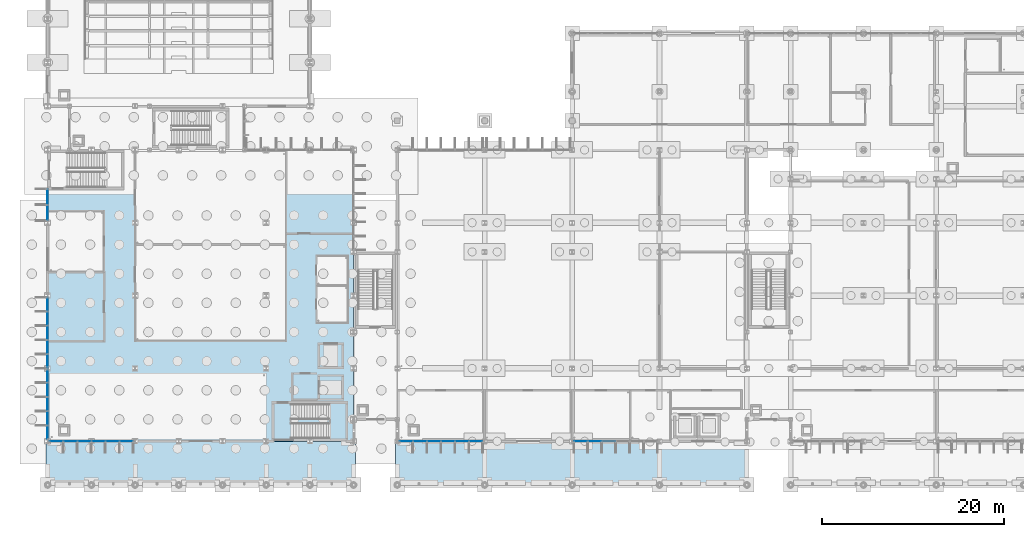
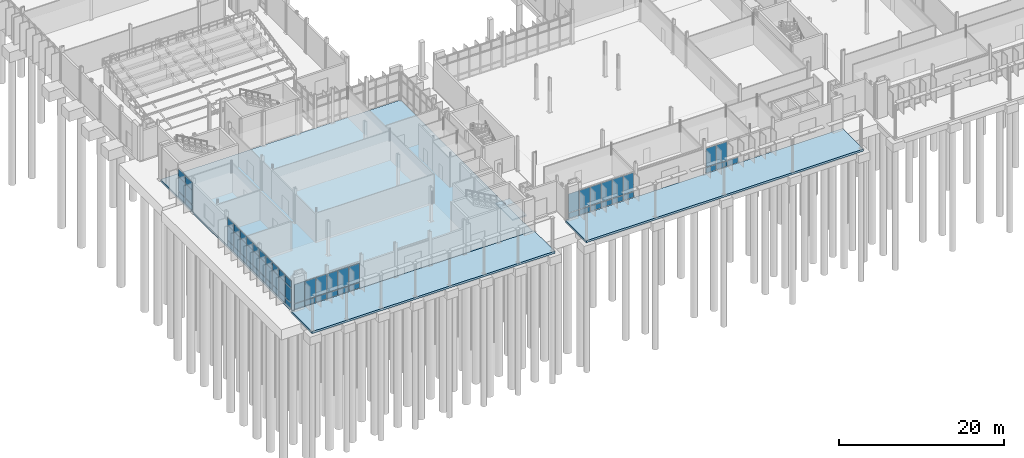
# One storey, part 41 of 111: 65 plates, 4 slabs, 6 elements without a shape of their own.
"""IFC4 building model written with IfcOpenShell, lengths in metres."""

from ifc_helpers import new_model, si_unit, direction, frame, origin, origin_2d, place, context, subcontext, project, spatial, polyline, rectangle, outline, extrude, material, layer, layer_set, type_object, element, aggregate, save


model = new_model("IFC4")

# Units and contexts
model_context = context("Model", 3, precision=1e-05, world=origin(), true_north=direction((0.0, 1.0)))
body_context = subcontext(model_context, "Body", "Model", "MODEL_VIEW")
ifc_project = project(units=[si_unit("LENGTHUNIT", "METRE"), si_unit("AREAUNIT", "SQUARE_METRE"), si_unit("VOLUMEUNIT", "CUBIC_METRE"), si_unit("PLANEANGLEUNIT", "RADIAN"), si_unit("MASSUNIT", "GRAM", prefix="KILO")], contexts=[model_context])

# Site, building, storey
site_placement = place(None, origin())
site = spatial("IfcSite", under=ifc_project, at=site_placement, CompositionType="ELEMENT")
building_placement = place(site_placement, origin())
building = spatial("IfcBuilding", under=site, at=building_placement, Name="Dunescarp Central Library", CompositionType="ELEMENT")
storey_placement = place(building_placement, origin())
storey = spatial("IfcBuildingStorey", under=building, at=storey_placement, Name="L00", CompositionType="ELEMENT", Elevation=0.0)

# Curtain wall, plates
ifc_material_1 = material(Name="Marine-grade anodised aluminium 6063-T6", Category="aluminium")
curtain_wall_type = type_object("IfcCurtainWallType", Name="ARC-CW-STICK", PredefinedType="NOTDEFINED", material=ifc_material_1)
curtain_wall_1_placement = place(storey_placement, origin())
curtain_wall_1 = element("IfcCurtainWall", 1, at=curtain_wall_1_placement, inside=storey, type_object=curtain_wall_type, Name="L00 curtain wall CW-V1-001", PredefinedType="NOTDEFINED")
ifc_material_2 = material(Name="Solar-control laminated double glazing", Category="glass")
ifc_layer_1 = layer(ifc_material_2, 0.028076171875)
ifc_layer_set_1 = layer_set([ifc_layer_1], Name="Solar-control laminated double glazing")
plate_type_1 = type_object("IfcPlateType", Name="ARC-PLT-GLZ28", PredefinedType="CURTAIN_PANEL", material=ifc_layer_set_1)
plate_1_placement = place(storey_placement, frame((8.63427734375, 4.800048828125, 0.93994140625), z_axis=(0.0, 0.0, 1.0), x_axis=(-1.0, 0.0, 0.0)))
plate_1 = element("IfcPlate", 2, at=plate_1_placement, type_object=plate_type_1, Name="CW-V1-001 panel 1.2", PredefinedType="CURTAIN_PANEL", context=body_context, shape_type="SweptSolid", body=[
    extrude(rectangle(XDim=1.421630859375, YDim=0.028076171875, at=origin_2d()), origin(), (0.0, 0.0, 1.0), 2.784912109375),
])
plate_2_placement = place(storey_placement, frame((7.112548828125, 4.800048828125, 0.93994140625), z_axis=(0.0, 0.0, 1.0), x_axis=(-1.0, 0.0, 0.0)))
plate_2 = element("IfcPlate", 3, at=plate_2_placement, type_object=plate_type_1, Name="CW-V1-001 panel 2.2", PredefinedType="CURTAIN_PANEL", context=body_context, shape_type="SweptSolid", body=[
    extrude(rectangle(XDim=1.461669921875, YDim=0.028076171875, at=origin_2d()), origin(), (0.0, 0.0, 1.0), 2.784912109375),
])
plate_3_placement = place(storey_placement, frame((5.57080078125, 4.800048828125, 0.93994140625), z_axis=(0.0, 0.0, 1.0), x_axis=(-1.0, 0.0, 0.0)))
plate_3 = element("IfcPlate", 4, at=plate_3_placement, type_object=plate_type_1, Name="CW-V1-001 panel 3.2", PredefinedType="CURTAIN_PANEL", context=body_context, shape_type="SweptSolid", body=[
    extrude(rectangle(XDim=1.461669921875, YDim=0.028076171875, at=origin_2d()), origin(), (0.0, 0.0, 1.0), 2.784912109375),
])
plate_4_placement = place(storey_placement, frame((4.029052734375, 4.800048828125, 0.93994140625), z_axis=(0.0, 0.0, 1.0), x_axis=(-1.0, 0.0, 0.0)))
plate_4 = element("IfcPlate", 5, at=plate_4_placement, type_object=plate_type_1, Name="CW-V1-001 panel 4.2", PredefinedType="CURTAIN_PANEL", context=body_context, shape_type="SweptSolid", body=[
    extrude(rectangle(XDim=1.461669921875, YDim=0.028076171875, at=origin_2d()), origin(), (0.0, 0.0, 1.0), 2.784912109375),
])
plate_5_placement = place(storey_placement, frame((2.487548828125, 4.800048828125, 0.93994140625), z_axis=(0.0, 0.0, 1.0), x_axis=(-1.0, 0.0, 0.0)))
plate_5 = element("IfcPlate", 6, at=plate_5_placement, type_object=plate_type_1, Name="CW-V1-001 panel 5.2", PredefinedType="CURTAIN_PANEL", context=body_context, shape_type="SweptSolid", body=[
    extrude(rectangle(XDim=1.461669921875, YDim=0.028076171875, at=origin_2d()), origin(), (0.0, 0.0, 1.0), 2.784912109375),
])
plate_6_placement = place(storey_placement, frame((0.9658203125, 4.800048828125, 0.93994140625), z_axis=(0.0, 0.0, 1.0), x_axis=(-1.0, 0.0, 0.0)))
plate_6 = element("IfcPlate", 7, at=plate_6_placement, type_object=plate_type_1, Name="CW-V1-001 panel 6.2", PredefinedType="CURTAIN_PANEL", context=body_context, shape_type="SweptSolid", body=[
    extrude(rectangle(XDim=1.421630859375, YDim=0.028076171875, at=origin_2d()), origin(), (0.0, 0.0, 1.0), 2.784912109375),
])

curtain_wall_2_placement = place(storey_placement, origin())
curtain_wall_2 = element("IfcCurtainWall", 8, at=curtain_wall_2_placement, inside=storey, type_object=curtain_wall_type, Name="L00 curtain wall CW-V1-003", PredefinedType="NOTDEFINED")
plate_7_placement = place(storey_placement, frame((0.0, 5.777587890625, 0.93994140625), z_axis=(0.0, 0.0, 1.0), x_axis=(0.0, 1.0, 0.0)))
plate_7 = element("IfcPlate", 9, at=plate_7_placement, type_object=plate_type_1, Name="CW-V1-003 panel 1.2", PredefinedType="CURTAIN_PANEL", context=body_context, shape_type="SweptSolid", body=[
    extrude(rectangle(XDim=1.445068359375, YDim=0.028076171875, at=origin_2d()), origin(), (0.0, 0.0, 1.0), 2.1201171875),
])
plate_8_placement = place(storey_placement, frame((0.0, 5.777587890625, 3.14013671875), z_axis=(0.0, 0.0, 1.0), x_axis=(0.0, 1.0, 0.0)))
plate_8 = element("IfcPlate", 10, at=plate_8_placement, type_object=plate_type_1, Name="CW-V1-003 panel 1.3", PredefinedType="CURTAIN_PANEL", context=body_context, shape_type="SweptSolid", body=[
    extrude(rectangle(XDim=1.445068359375, YDim=0.028076171875, at=origin_2d()), origin(), (0.0, 0.0, 1.0), 1.0849609375),
])
plate_9_placement = place(storey_placement, frame((0.0, 7.322509765625, 0.93994140625), z_axis=(0.0, 0.0, 1.0), x_axis=(0.0, 1.0, 0.0)))
plate_9 = element("IfcPlate", 11, at=plate_9_placement, type_object=plate_type_1, Name="CW-V1-003 panel 2.2", PredefinedType="CURTAIN_PANEL", context=body_context, shape_type="SweptSolid", body=[
    extrude(rectangle(XDim=1.485107421875, YDim=0.028076171875, at=origin_2d()), origin(), (0.0, 0.0, 1.0), 2.1201171875),
])
plate_10_placement = place(storey_placement, frame((0.0, 7.322509765625, 3.14013671875), z_axis=(0.0, 0.0, 1.0), x_axis=(0.0, 1.0, 0.0)))
plate_10 = element("IfcPlate", 12, at=plate_10_placement, type_object=plate_type_1, Name="CW-V1-003 panel 2.3", PredefinedType="CURTAIN_PANEL", context=body_context, shape_type="SweptSolid", body=[
    extrude(rectangle(XDim=1.485107421875, YDim=0.028076171875, at=origin_2d()), origin(), (0.0, 0.0, 1.0), 1.0849609375),
])
plate_11_placement = place(storey_placement, frame((0.0, 8.887451171875, 0.93994140625), z_axis=(0.0, 0.0, 1.0), x_axis=(0.0, 1.0, 0.0)))
plate_11 = element("IfcPlate", 13, at=plate_11_placement, type_object=plate_type_1, Name="CW-V1-003 panel 3.2", PredefinedType="CURTAIN_PANEL", context=body_context, shape_type="SweptSolid", body=[
    extrude(rectangle(XDim=1.485107421875, YDim=0.028076171875, at=origin_2d()), origin(), (0.0, 0.0, 1.0), 2.1201171875),
])
plate_12_placement = place(storey_placement, frame((0.0, 8.887451171875, 3.14013671875), z_axis=(0.0, 0.0, 1.0), x_axis=(0.0, 1.0, 0.0)))
plate_12 = element("IfcPlate", 14, at=plate_12_placement, type_object=plate_type_1, Name="CW-V1-003 panel 3.3", PredefinedType="CURTAIN_PANEL", context=body_context, shape_type="SweptSolid", body=[
    extrude(rectangle(XDim=1.485107421875, YDim=0.028076171875, at=origin_2d()), origin(), (0.0, 0.0, 1.0), 1.0849609375),
])
plate_13_placement = place(storey_placement, frame((0.0, 10.452392578125, 0.93994140625), z_axis=(0.0, 0.0, 1.0), x_axis=(0.0, 1.0, 0.0)))
plate_13 = element("IfcPlate", 15, at=plate_13_placement, type_object=plate_type_1, Name="CW-V1-003 panel 4.2", PredefinedType="CURTAIN_PANEL", context=body_context, shape_type="SweptSolid", body=[
    extrude(rectangle(XDim=1.485107421875, YDim=0.028076171875, at=origin_2d()), origin(), (0.0, 0.0, 1.0), 2.1201171875),
])
plate_14_placement = place(storey_placement, frame((0.0, 10.452392578125, 3.14013671875), z_axis=(0.0, 0.0, 1.0), x_axis=(0.0, 1.0, 0.0)))
plate_14 = element("IfcPlate", 16, at=plate_14_placement, type_object=plate_type_1, Name="CW-V1-003 panel 4.3", PredefinedType="CURTAIN_PANEL", context=body_context, shape_type="SweptSolid", body=[
    extrude(rectangle(XDim=1.485107421875, YDim=0.028076171875, at=origin_2d()), origin(), (0.0, 0.0, 1.0), 1.0849609375),
])
plate_15_placement = place(storey_placement, frame((0.0, 12.017578125, 0.93994140625), z_axis=(0.0, 0.0, 1.0), x_axis=(0.0, 1.0, 0.0)))
plate_15 = element("IfcPlate", 17, at=plate_15_placement, type_object=plate_type_1, Name="CW-V1-003 panel 5.2", PredefinedType="CURTAIN_PANEL", context=body_context, shape_type="SweptSolid", body=[
    extrude(rectangle(XDim=1.485107421875, YDim=0.028076171875, at=origin_2d()), origin(), (0.0, 0.0, 1.0), 2.1201171875),
])
plate_16_placement = place(storey_placement, frame((0.0, 12.017578125, 3.14013671875), z_axis=(0.0, 0.0, 1.0), x_axis=(0.0, 1.0, 0.0)))
plate_16 = element("IfcPlate", 18, at=plate_16_placement, type_object=plate_type_1, Name="CW-V1-003 panel 5.3", PredefinedType="CURTAIN_PANEL", context=body_context, shape_type="SweptSolid", body=[
    extrude(rectangle(XDim=1.485107421875, YDim=0.028076171875, at=origin_2d()), origin(), (0.0, 0.0, 1.0), 1.0849609375),
])
plate_17_placement = place(storey_placement, frame((0.0, 13.58251953125, 0.93994140625), z_axis=(0.0, 0.0, 1.0), x_axis=(0.0, 1.0, 0.0)))
plate_17 = element("IfcPlate", 19, at=plate_17_placement, type_object=plate_type_1, Name="CW-V1-003 panel 6.2", PredefinedType="CURTAIN_PANEL", context=body_context, shape_type="SweptSolid", body=[
    extrude(rectangle(XDim=1.485107421875, YDim=0.028076171875, at=origin_2d()), origin(), (0.0, 0.0, 1.0), 2.1201171875),
])
plate_18_placement = place(storey_placement, frame((0.0, 13.58251953125, 3.14013671875), z_axis=(0.0, 0.0, 1.0), x_axis=(0.0, 1.0, 0.0)))
plate_18 = element("IfcPlate", 20, at=plate_18_placement, type_object=plate_type_1, Name="CW-V1-003 panel 6.3", PredefinedType="CURTAIN_PANEL", context=body_context, shape_type="SweptSolid", body=[
    extrude(rectangle(XDim=1.485107421875, YDim=0.028076171875, at=origin_2d()), origin(), (0.0, 0.0, 1.0), 1.0849609375),
])
plate_19_placement = place(storey_placement, frame((0.0, 15.1474609375, 0.93994140625), z_axis=(0.0, 0.0, 1.0), x_axis=(0.0, 1.0, 0.0)))
plate_19 = element("IfcPlate", 21, at=plate_19_placement, type_object=plate_type_1, Name="CW-V1-003 panel 7.2", PredefinedType="CURTAIN_PANEL", context=body_context, shape_type="SweptSolid", body=[
    extrude(rectangle(XDim=1.485107421875, YDim=0.028076171875, at=origin_2d()), origin(), (0.0, 0.0, 1.0), 2.1201171875),
])
plate_20_placement = place(storey_placement, frame((0.0, 15.1474609375, 3.14013671875), z_axis=(0.0, 0.0, 1.0), x_axis=(0.0, 1.0, 0.0)))
plate_20 = element("IfcPlate", 22, at=plate_20_placement, type_object=plate_type_1, Name="CW-V1-003 panel 7.3", PredefinedType="CURTAIN_PANEL", context=body_context, shape_type="SweptSolid", body=[
    extrude(rectangle(XDim=1.485107421875, YDim=0.028076171875, at=origin_2d()), origin(), (0.0, 0.0, 1.0), 1.0849609375),
])
plate_21_placement = place(storey_placement, frame((0.0, 16.71240234375, 0.93994140625), z_axis=(0.0, 0.0, 1.0), x_axis=(0.0, 1.0, 0.0)))
plate_21 = element("IfcPlate", 23, at=plate_21_placement, type_object=plate_type_1, Name="CW-V1-003 panel 8.2", PredefinedType="CURTAIN_PANEL", context=body_context, shape_type="SweptSolid", body=[
    extrude(rectangle(XDim=1.485107421875, YDim=0.028076171875, at=origin_2d()), origin(), (0.0, 0.0, 1.0), 2.1201171875),
])
plate_22_placement = place(storey_placement, frame((0.0, 16.71240234375, 3.14013671875), z_axis=(0.0, 0.0, 1.0), x_axis=(0.0, 1.0, 0.0)))
plate_22 = element("IfcPlate", 24, at=plate_22_placement, type_object=plate_type_1, Name="CW-V1-003 panel 8.3", PredefinedType="CURTAIN_PANEL", context=body_context, shape_type="SweptSolid", body=[
    extrude(rectangle(XDim=1.485107421875, YDim=0.028076171875, at=origin_2d()), origin(), (0.0, 0.0, 1.0), 1.0849609375),
])
plate_23_placement = place(storey_placement, frame((0.0, 18.277587890625, 0.93994140625), z_axis=(0.0, 0.0, 1.0), x_axis=(0.0, 1.0, 0.0)))
plate_23 = element("IfcPlate", 25, at=plate_23_placement, type_object=plate_type_1, Name="CW-V1-003 panel 9.2", PredefinedType="CURTAIN_PANEL", context=body_context, shape_type="SweptSolid", body=[
    extrude(rectangle(XDim=1.485107421875, YDim=0.028076171875, at=origin_2d()), origin(), (0.0, 0.0, 1.0), 2.1201171875),
])
plate_24_placement = place(storey_placement, frame((0.0, 18.277587890625, 3.14013671875), z_axis=(0.0, 0.0, 1.0), x_axis=(0.0, 1.0, 0.0)))
plate_24 = element("IfcPlate", 26, at=plate_24_placement, type_object=plate_type_1, Name="CW-V1-003 panel 9.3", PredefinedType="CURTAIN_PANEL", context=body_context, shape_type="SweptSolid", body=[
    extrude(rectangle(XDim=1.485107421875, YDim=0.028076171875, at=origin_2d()), origin(), (0.0, 0.0, 1.0), 1.0849609375),
])
plate_25_placement = place(storey_placement, frame((0.0, 19.822509765625, 0.93994140625), z_axis=(0.0, 0.0, 1.0), x_axis=(0.0, 1.0, 0.0)))
plate_25 = element("IfcPlate", 27, at=plate_25_placement, type_object=plate_type_1, Name="CW-V1-003 panel 10.2", PredefinedType="CURTAIN_PANEL", context=body_context, shape_type="SweptSolid", body=[
    extrude(rectangle(XDim=1.445068359375, YDim=0.028076171875, at=origin_2d()), origin(), (0.0, 0.0, 1.0), 2.1201171875),
])
plate_26_placement = place(storey_placement, frame((0.0, 19.822509765625, 3.14013671875), z_axis=(0.0, 0.0, 1.0), x_axis=(0.0, 1.0, 0.0)))
plate_26 = element("IfcPlate", 28, at=plate_26_placement, type_object=plate_type_1, Name="CW-V1-003 panel 10.3", PredefinedType="CURTAIN_PANEL", context=body_context, shape_type="SweptSolid", body=[
    extrude(rectangle(XDim=1.445068359375, YDim=0.028076171875, at=origin_2d()), origin(), (0.0, 0.0, 1.0), 1.0849609375),
])

curtain_wall_3_placement = place(storey_placement, origin())
curtain_wall_3 = element("IfcCurtainWall", 29, at=curtain_wall_3_placement, inside=storey, type_object=curtain_wall_type, Name="L00 curtain wall CW-V1-004", PredefinedType="NOTDEFINED")
plate_27_placement = place(storey_placement, frame((0.0, 29.888671875, 0.93994140625), z_axis=(0.0, 0.0, 1.0), x_axis=(0.0, 1.0, 0.0)))
plate_27 = element("IfcPlate", 30, at=plate_27_placement, type_object=plate_type_1, Name="CW-V1-004 panel 1.2", PredefinedType="CURTAIN_PANEL", context=body_context, shape_type="SweptSolid", body=[
    extrude(rectangle(XDim=1.66748046875, YDim=0.028076171875, at=origin_2d()), origin(), (0.0, 0.0, 1.0), 2.1201171875),
])
plate_28_placement = place(storey_placement, frame((0.0, 29.888671875, 3.14013671875), z_axis=(0.0, 0.0, 1.0), x_axis=(0.0, 1.0, 0.0)))
plate_28 = element("IfcPlate", 31, at=plate_28_placement, type_object=plate_type_1, Name="CW-V1-004 panel 1.3", PredefinedType="CURTAIN_PANEL", context=body_context, shape_type="SweptSolid", body=[
    extrude(rectangle(XDim=1.66748046875, YDim=0.028076171875, at=origin_2d()), origin(), (0.0, 0.0, 1.0), 1.0849609375),
])
plate_29_placement = place(storey_placement, frame((0.0, 31.63623046875, 0.93994140625), z_axis=(0.0, 0.0, 1.0), x_axis=(0.0, 1.0, 0.0)))
plate_29 = element("IfcPlate", 32, at=plate_29_placement, type_object=plate_type_1, Name="CW-V1-004 panel 2.2", PredefinedType="CURTAIN_PANEL", context=body_context, shape_type="SweptSolid", body=[
    extrude(rectangle(XDim=1.66748046875, YDim=0.028076171875, at=origin_2d()), origin(), (0.0, 0.0, 1.0), 2.1201171875),
])
plate_30_placement = place(storey_placement, frame((0.0, 31.63623046875, 3.14013671875), z_axis=(0.0, 0.0, 1.0), x_axis=(0.0, 1.0, 0.0)))
plate_30 = element("IfcPlate", 33, at=plate_30_placement, type_object=plate_type_1, Name="CW-V1-004 panel 2.3", PredefinedType="CURTAIN_PANEL", context=body_context, shape_type="SweptSolid", body=[
    extrude(rectangle(XDim=1.66748046875, YDim=0.028076171875, at=origin_2d()), origin(), (0.0, 0.0, 1.0), 1.0849609375),
])

curtain_wall_4_placement = place(storey_placement, origin())
curtain_wall_4 = element("IfcCurtainWall", 34, at=curtain_wall_4_placement, inside=storey, type_object=curtain_wall_type, Name="L00 curtain wall CW-V2-044", PredefinedType="NOTDEFINED")
plate_31_placement = place(storey_placement, frame((47.0341796875, 4.800048828125, 0.93994140625), z_axis=(0.0, 0.0, 1.0), x_axis=(-1.0, 0.0, 0.0)))
plate_31 = element("IfcPlate", 35, at=plate_31_placement, type_object=plate_type_1, Name="CW-V2-044 panel 1.2", PredefinedType="CURTAIN_PANEL", context=body_context, shape_type="SweptSolid", body=[
    extrude(rectangle(XDim=1.421630859375, YDim=0.028076171875, at=origin_2d()), origin(), (0.0, 0.0, 1.0), 2.784912109375),
])
plate_32_placement = place(storey_placement, frame((45.512451171875, 4.800048828125, 0.93994140625), z_axis=(0.0, 0.0, 1.0), x_axis=(-1.0, 0.0, 0.0)))
plate_32 = element("IfcPlate", 36, at=plate_32_placement, type_object=plate_type_1, Name="CW-V2-044 panel 2.2", PredefinedType="CURTAIN_PANEL", context=body_context, shape_type="SweptSolid", body=[
    extrude(rectangle(XDim=1.461669921875, YDim=0.028076171875, at=origin_2d()), origin(), (0.0, 0.0, 1.0), 2.784912109375),
])
plate_33_placement = place(storey_placement, frame((43.970947265625, 4.800048828125, 0.93994140625), z_axis=(0.0, 0.0, 1.0), x_axis=(-1.0, 0.0, 0.0)))
plate_33 = element("IfcPlate", 37, at=plate_33_placement, type_object=plate_type_1, Name="CW-V2-044 panel 3.2", PredefinedType="CURTAIN_PANEL", context=body_context, shape_type="SweptSolid", body=[
    extrude(rectangle(XDim=1.461669921875, YDim=0.028076171875, at=origin_2d()), origin(), (0.0, 0.0, 1.0), 2.784912109375),
])
plate_34_placement = place(storey_placement, frame((42.42919921875, 4.800048828125, 0.93994140625), z_axis=(0.0, 0.0, 1.0), x_axis=(-1.0, 0.0, 0.0)))
plate_34 = element("IfcPlate", 38, at=plate_34_placement, type_object=plate_type_1, Name="CW-V2-044 panel 4.2", PredefinedType="CURTAIN_PANEL", context=body_context, shape_type="SweptSolid", body=[
    extrude(rectangle(XDim=1.461669921875, YDim=0.028076171875, at=origin_2d()), origin(), (0.0, 0.0, 1.0), 2.784912109375),
])
plate_35_placement = place(storey_placement, frame((40.887451171875, 4.800048828125, 0.93994140625), z_axis=(0.0, 0.0, 1.0), x_axis=(-1.0, 0.0, 0.0)))
plate_35 = element("IfcPlate", 39, at=plate_35_placement, type_object=plate_type_1, Name="CW-V2-044 panel 5.2", PredefinedType="CURTAIN_PANEL", context=body_context, shape_type="SweptSolid", body=[
    extrude(rectangle(XDim=1.461669921875, YDim=0.028076171875, at=origin_2d()), origin(), (0.0, 0.0, 1.0), 2.784912109375),
])
plate_36_placement = place(storey_placement, frame((39.36572265625, 4.800048828125, 0.93994140625), z_axis=(0.0, 0.0, 1.0), x_axis=(-1.0, 0.0, 0.0)))
plate_36 = element("IfcPlate", 40, at=plate_36_placement, type_object=plate_type_1, Name="CW-V2-044 panel 6.2", PredefinedType="CURTAIN_PANEL", context=body_context, shape_type="SweptSolid", body=[
    extrude(rectangle(XDim=1.421630859375, YDim=0.028076171875, at=origin_2d()), origin(), (0.0, 0.0, 1.0), 2.784912109375),
])

curtain_wall_5_placement = place(storey_placement, origin())
curtain_wall_5 = element("IfcCurtainWall", 41, at=curtain_wall_5_placement, inside=storey, type_object=curtain_wall_type, Name="L00 curtain wall CW-V2-045", PredefinedType="NOTDEFINED")
plate_37_placement = place(storey_placement, frame((60.08740234375, 4.800048828125, 0.93994140625), z_axis=(0.0, 0.0, 1.0), x_axis=(-1.0, 0.0, 0.0)))
plate_37 = element("IfcPlate", 42, at=plate_37_placement, type_object=plate_type_1, Name="CW-V2-045 panel 5.2", PredefinedType="CURTAIN_PANEL", context=body_context, shape_type="SweptSolid", body=[
    extrude(rectangle(XDim=1.461669921875, YDim=0.028076171875, at=origin_2d()), origin(), (0.0, 0.0, 1.0), 2.784912109375),
])
plate_38_placement = place(storey_placement, frame((58.56591796875, 4.800048828125, 0.93994140625), z_axis=(0.0, 0.0, 1.0), x_axis=(-1.0, 0.0, 0.0)))
plate_38 = element("IfcPlate", 43, at=plate_38_placement, type_object=plate_type_1, Name="CW-V2-045 panel 6.2", PredefinedType="CURTAIN_PANEL", context=body_context, shape_type="SweptSolid", body=[
    extrude(rectangle(XDim=1.421630859375, YDim=0.028076171875, at=origin_2d()), origin(), (0.0, 0.0, 1.0), 2.784912109375),
])

# Plate
ifc_layer_2 = layer(ifc_material_1, 0.050048828125)
ifc_layer_set_2 = layer_set([ifc_layer_2], Name="Marine-grade anodised aluminium 6063-T6")
plate_type_2 = type_object("IfcPlateType", Name="ARC-PLT-SPN50", PredefinedType="SHEET", material=ifc_layer_set_2)
plate_39_placement = place(storey_placement, frame((8.63427734375, 4.800048828125, 0.080078125), z_axis=(0.0, 0.0, 1.0), x_axis=(-1.0, 0.0, 0.0)))
plate_39 = element("IfcPlate", 44, at=plate_39_placement, type_object=plate_type_2, Name="CW-V1-001 panel 1.1", PredefinedType="SHEET", context=body_context, shape_type="SweptSolid", body=[
    extrude(rectangle(XDim=1.421630859375, YDim=0.050048828125, at=origin_2d()), origin(), (0.0, 0.0, 1.0), 0.780029296875),
])

plate_40_placement = place(storey_placement, frame((7.112548828125, 4.800048828125, 0.080078125), z_axis=(0.0, 0.0, 1.0), x_axis=(-1.0, 0.0, 0.0)))
plate_40 = element("IfcPlate", 45, at=plate_40_placement, type_object=plate_type_2, Name="CW-V1-001 panel 2.1", PredefinedType="SHEET", context=body_context, shape_type="SweptSolid", body=[
    extrude(rectangle(XDim=1.461669921875, YDim=0.050048828125, at=origin_2d()), origin(), (0.0, 0.0, 1.0), 0.780029296875),
])

plate_41_placement = place(storey_placement, frame((5.57080078125, 4.800048828125, 0.080078125), z_axis=(0.0, 0.0, 1.0), x_axis=(-1.0, 0.0, 0.0)))
plate_41 = element("IfcPlate", 46, at=plate_41_placement, type_object=plate_type_2, Name="CW-V1-001 panel 3.1", PredefinedType="SHEET", context=body_context, shape_type="SweptSolid", body=[
    extrude(rectangle(XDim=1.461669921875, YDim=0.050048828125, at=origin_2d()), origin(), (0.0, 0.0, 1.0), 0.780029296875),
])

plate_42_placement = place(storey_placement, frame((4.029052734375, 4.800048828125, 0.080078125), z_axis=(0.0, 0.0, 1.0), x_axis=(-1.0, 0.0, 0.0)))
plate_42 = element("IfcPlate", 47, at=plate_42_placement, type_object=plate_type_2, Name="CW-V1-001 panel 4.1", PredefinedType="SHEET", context=body_context, shape_type="SweptSolid", body=[
    extrude(rectangle(XDim=1.461669921875, YDim=0.050048828125, at=origin_2d()), origin(), (0.0, 0.0, 1.0), 0.780029296875),
])

plate_43_placement = place(storey_placement, frame((2.487548828125, 4.800048828125, 0.080078125), z_axis=(0.0, 0.0, 1.0), x_axis=(-1.0, 0.0, 0.0)))
plate_43 = element("IfcPlate", 48, at=plate_43_placement, type_object=plate_type_2, Name="CW-V1-001 panel 5.1", PredefinedType="SHEET", context=body_context, shape_type="SweptSolid", body=[
    extrude(rectangle(XDim=1.461669921875, YDim=0.050048828125, at=origin_2d()), origin(), (0.0, 0.0, 1.0), 0.780029296875),
])

plate_44_placement = place(storey_placement, frame((0.9658203125, 4.800048828125, 0.080078125), z_axis=(0.0, 0.0, 1.0), x_axis=(-1.0, 0.0, 0.0)))
plate_44 = element("IfcPlate", 49, at=plate_44_placement, type_object=plate_type_2, Name="CW-V1-001 panel 6.1", PredefinedType="SHEET", context=body_context, shape_type="SweptSolid", body=[
    extrude(rectangle(XDim=1.421630859375, YDim=0.050048828125, at=origin_2d()), origin(), (0.0, 0.0, 1.0), 0.780029296875),
])

aggregate(curtain_wall_1, [plate_39, plate_1, plate_40, plate_2, plate_41, plate_3, plate_42, plate_4, plate_43, plate_5, plate_44, plate_6])

plate_45_placement = place(storey_placement, frame((0.0, 5.777587890625, 0.080078125), z_axis=(0.0, 0.0, 1.0), x_axis=(0.0, 1.0, 0.0)))
plate_45 = element("IfcPlate", 50, at=plate_45_placement, type_object=plate_type_2, Name="CW-V1-003 panel 1.1", PredefinedType="SHEET", context=body_context, shape_type="SweptSolid", body=[
    extrude(rectangle(XDim=1.445068359375, YDim=0.050048828125, at=origin_2d()), origin(), (0.0, 0.0, 1.0), 0.780029296875),
])

plate_46_placement = place(storey_placement, frame((0.0, 7.322509765625, 0.080078125), z_axis=(0.0, 0.0, 1.0), x_axis=(0.0, 1.0, 0.0)))
plate_46 = element("IfcPlate", 51, at=plate_46_placement, type_object=plate_type_2, Name="CW-V1-003 panel 2.1", PredefinedType="SHEET", context=body_context, shape_type="SweptSolid", body=[
    extrude(rectangle(XDim=1.485107421875, YDim=0.050048828125, at=origin_2d()), origin(), (0.0, 0.0, 1.0), 0.780029296875),
])

plate_47_placement = place(storey_placement, frame((0.0, 8.887451171875, 0.080078125), z_axis=(0.0, 0.0, 1.0), x_axis=(0.0, 1.0, 0.0)))
plate_47 = element("IfcPlate", 52, at=plate_47_placement, type_object=plate_type_2, Name="CW-V1-003 panel 3.1", PredefinedType="SHEET", context=body_context, shape_type="SweptSolid", body=[
    extrude(rectangle(XDim=1.485107421875, YDim=0.050048828125, at=origin_2d()), origin(), (0.0, 0.0, 1.0), 0.780029296875),
])

plate_48_placement = place(storey_placement, frame((0.0, 10.452392578125, 0.080078125), z_axis=(0.0, 0.0, 1.0), x_axis=(0.0, 1.0, 0.0)))
plate_48 = element("IfcPlate", 53, at=plate_48_placement, type_object=plate_type_2, Name="CW-V1-003 panel 4.1", PredefinedType="SHEET", context=body_context, shape_type="SweptSolid", body=[
    extrude(rectangle(XDim=1.485107421875, YDim=0.050048828125, at=origin_2d()), origin(), (0.0, 0.0, 1.0), 0.780029296875),
])

plate_49_placement = place(storey_placement, frame((0.0, 12.017578125, 0.080078125), z_axis=(0.0, 0.0, 1.0), x_axis=(0.0, 1.0, 0.0)))
plate_49 = element("IfcPlate", 54, at=plate_49_placement, type_object=plate_type_2, Name="CW-V1-003 panel 5.1", PredefinedType="SHEET", context=body_context, shape_type="SweptSolid", body=[
    extrude(rectangle(XDim=1.485107421875, YDim=0.050048828125, at=origin_2d()), origin(), (0.0, 0.0, 1.0), 0.780029296875),
])

plate_50_placement = place(storey_placement, frame((0.0, 13.58251953125, 0.080078125), z_axis=(0.0, 0.0, 1.0), x_axis=(0.0, 1.0, 0.0)))
plate_50 = element("IfcPlate", 55, at=plate_50_placement, type_object=plate_type_2, Name="CW-V1-003 panel 6.1", PredefinedType="SHEET", context=body_context, shape_type="SweptSolid", body=[
    extrude(rectangle(XDim=1.485107421875, YDim=0.050048828125, at=origin_2d()), origin(), (0.0, 0.0, 1.0), 0.780029296875),
])

plate_51_placement = place(storey_placement, frame((0.0, 15.1474609375, 0.080078125), z_axis=(0.0, 0.0, 1.0), x_axis=(0.0, 1.0, 0.0)))
plate_51 = element("IfcPlate", 56, at=plate_51_placement, type_object=plate_type_2, Name="CW-V1-003 panel 7.1", PredefinedType="SHEET", context=body_context, shape_type="SweptSolid", body=[
    extrude(rectangle(XDim=1.485107421875, YDim=0.050048828125, at=origin_2d()), origin(), (0.0, 0.0, 1.0), 0.780029296875),
])

plate_52_placement = place(storey_placement, frame((0.0, 16.71240234375, 0.080078125), z_axis=(0.0, 0.0, 1.0), x_axis=(0.0, 1.0, 0.0)))
plate_52 = element("IfcPlate", 57, at=plate_52_placement, type_object=plate_type_2, Name="CW-V1-003 panel 8.1", PredefinedType="SHEET", context=body_context, shape_type="SweptSolid", body=[
    extrude(rectangle(XDim=1.485107421875, YDim=0.050048828125, at=origin_2d()), origin(), (0.0, 0.0, 1.0), 0.780029296875),
])

plate_53_placement = place(storey_placement, frame((0.0, 18.277587890625, 0.080078125), z_axis=(0.0, 0.0, 1.0), x_axis=(0.0, 1.0, 0.0)))
plate_53 = element("IfcPlate", 58, at=plate_53_placement, type_object=plate_type_2, Name="CW-V1-003 panel 9.1", PredefinedType="SHEET", context=body_context, shape_type="SweptSolid", body=[
    extrude(rectangle(XDim=1.485107421875, YDim=0.050048828125, at=origin_2d()), origin(), (0.0, 0.0, 1.0), 0.780029296875),
])

plate_54_placement = place(storey_placement, frame((0.0, 19.822509765625, 0.080078125), z_axis=(0.0, 0.0, 1.0), x_axis=(0.0, 1.0, 0.0)))
plate_54 = element("IfcPlate", 59, at=plate_54_placement, type_object=plate_type_2, Name="CW-V1-003 panel 10.1", PredefinedType="SHEET", context=body_context, shape_type="SweptSolid", body=[
    extrude(rectangle(XDim=1.445068359375, YDim=0.050048828125, at=origin_2d()), origin(), (0.0, 0.0, 1.0), 0.780029296875),
])

aggregate(curtain_wall_2, [plate_45, plate_7, plate_8, plate_46, plate_9, plate_10, plate_47, plate_11, plate_12, plate_48, plate_13, plate_14, plate_49, plate_15, plate_16, plate_50, plate_17, plate_18, plate_51, plate_19, plate_20, plate_52, plate_21, plate_22, plate_53, plate_23, plate_24, plate_54, plate_25, plate_26])

plate_55_placement = place(storey_placement, frame((0.0, 29.888671875, 0.080078125), z_axis=(0.0, 0.0, 1.0), x_axis=(0.0, 1.0, 0.0)))
plate_55 = element("IfcPlate", 60, at=plate_55_placement, type_object=plate_type_2, Name="CW-V1-004 panel 1.1", PredefinedType="SHEET", context=body_context, shape_type="SweptSolid", body=[
    extrude(rectangle(XDim=1.66748046875, YDim=0.050048828125, at=origin_2d()), origin(), (0.0, 0.0, 1.0), 0.780029296875),
])

plate_56_placement = place(storey_placement, frame((0.0, 31.63623046875, 0.080078125), z_axis=(0.0, 0.0, 1.0), x_axis=(0.0, 1.0, 0.0)))
plate_56 = element("IfcPlate", 61, at=plate_56_placement, type_object=plate_type_2, Name="CW-V1-004 panel 2.1", PredefinedType="SHEET", context=body_context, shape_type="SweptSolid", body=[
    extrude(rectangle(XDim=1.66748046875, YDim=0.050048828125, at=origin_2d()), origin(), (0.0, 0.0, 1.0), 0.780029296875),
])

aggregate(curtain_wall_3, [plate_55, plate_27, plate_28, plate_56, plate_29, plate_30])

plate_57_placement = place(storey_placement, frame((47.0341796875, 4.800048828125, 0.080078125), z_axis=(0.0, 0.0, 1.0), x_axis=(-1.0, 0.0, 0.0)))
plate_57 = element("IfcPlate", 62, at=plate_57_placement, type_object=plate_type_2, Name="CW-V2-044 panel 1.1", PredefinedType="SHEET", context=body_context, shape_type="SweptSolid", body=[
    extrude(rectangle(XDim=1.421630859375, YDim=0.050048828125, at=origin_2d()), origin(), (0.0, 0.0, 1.0), 0.780029296875),
])

plate_58_placement = place(storey_placement, frame((45.512451171875, 4.800048828125, 0.080078125), z_axis=(0.0, 0.0, 1.0), x_axis=(-1.0, 0.0, 0.0)))
plate_58 = element("IfcPlate", 63, at=plate_58_placement, type_object=plate_type_2, Name="CW-V2-044 panel 2.1", PredefinedType="SHEET", context=body_context, shape_type="SweptSolid", body=[
    extrude(rectangle(XDim=1.461669921875, YDim=0.050048828125, at=origin_2d()), origin(), (0.0, 0.0, 1.0), 0.780029296875),
])

plate_59_placement = place(storey_placement, frame((43.970947265625, 4.800048828125, 0.080078125), z_axis=(0.0, 0.0, 1.0), x_axis=(-1.0, 0.0, 0.0)))
plate_59 = element("IfcPlate", 64, at=plate_59_placement, type_object=plate_type_2, Name="CW-V2-044 panel 3.1", PredefinedType="SHEET", context=body_context, shape_type="SweptSolid", body=[
    extrude(rectangle(XDim=1.461669921875, YDim=0.050048828125, at=origin_2d()), origin(), (0.0, 0.0, 1.0), 0.780029296875),
])

plate_60_placement = place(storey_placement, frame((42.42919921875, 4.800048828125, 0.080078125), z_axis=(0.0, 0.0, 1.0), x_axis=(-1.0, 0.0, 0.0)))
plate_60 = element("IfcPlate", 65, at=plate_60_placement, type_object=plate_type_2, Name="CW-V2-044 panel 4.1", PredefinedType="SHEET", context=body_context, shape_type="SweptSolid", body=[
    extrude(rectangle(XDim=1.461669921875, YDim=0.050048828125, at=origin_2d()), origin(), (0.0, 0.0, 1.0), 0.780029296875),
])

plate_61_placement = place(storey_placement, frame((40.887451171875, 4.800048828125, 0.080078125), z_axis=(0.0, 0.0, 1.0), x_axis=(-1.0, 0.0, 0.0)))
plate_61 = element("IfcPlate", 66, at=plate_61_placement, type_object=plate_type_2, Name="CW-V2-044 panel 5.1", PredefinedType="SHEET", context=body_context, shape_type="SweptSolid", body=[
    extrude(rectangle(XDim=1.461669921875, YDim=0.050048828125, at=origin_2d()), origin(), (0.0, 0.0, 1.0), 0.780029296875),
])

plate_62_placement = place(storey_placement, frame((39.36572265625, 4.800048828125, 0.080078125), z_axis=(0.0, 0.0, 1.0), x_axis=(-1.0, 0.0, 0.0)))
plate_62 = element("IfcPlate", 67, at=plate_62_placement, type_object=plate_type_2, Name="CW-V2-044 panel 6.1", PredefinedType="SHEET", context=body_context, shape_type="SweptSolid", body=[
    extrude(rectangle(XDim=1.421630859375, YDim=0.050048828125, at=origin_2d()), origin(), (0.0, 0.0, 1.0), 0.780029296875),
])

aggregate(curtain_wall_4, [plate_57, plate_31, plate_58, plate_32, plate_59, plate_33, plate_60, plate_34, plate_61, plate_35, plate_62, plate_36])

plate_63_placement = place(storey_placement, frame((61.629150390625, 4.800048828125, 0.080078125), z_axis=(0.0, 0.0, 1.0), x_axis=(-1.0, 0.0, 0.0)))
plate_63 = element("IfcPlate", 68, at=plate_63_placement, type_object=plate_type_2, Name="CW-V2-045 panel 4.1", PredefinedType="SHEET", context=body_context, shape_type="SweptSolid", body=[
    extrude(rectangle(XDim=1.461669921875, YDim=0.050048828125, at=origin_2d()), origin(), (0.0, 0.0, 1.0), 0.780029296875),
])

plate_64_placement = place(storey_placement, frame((60.08740234375, 4.800048828125, 0.080078125), z_axis=(0.0, 0.0, 1.0), x_axis=(-1.0, 0.0, 0.0)))
plate_64 = element("IfcPlate", 69, at=plate_64_placement, type_object=plate_type_2, Name="CW-V2-045 panel 5.1", PredefinedType="SHEET", context=body_context, shape_type="SweptSolid", body=[
    extrude(rectangle(XDim=1.461669921875, YDim=0.050048828125, at=origin_2d()), origin(), (0.0, 0.0, 1.0), 0.780029296875),
])

plate_65_placement = place(storey_placement, frame((58.56591796875, 4.800048828125, 0.080078125), z_axis=(0.0, 0.0, 1.0), x_axis=(-1.0, 0.0, 0.0)))
plate_65 = element("IfcPlate", 70, at=plate_65_placement, type_object=plate_type_2, Name="CW-V2-045 panel 6.1", PredefinedType="SHEET", context=body_context, shape_type="SweptSolid", body=[
    extrude(rectangle(XDim=1.421630859375, YDim=0.050048828125, at=origin_2d()), origin(), (0.0, 0.0, 1.0), 0.780029296875),
])

aggregate(curtain_wall_5, [plate_63, plate_64, plate_37, plate_65, plate_38])

# Slabs
ifc_material_3 = material(Name="Concrete C35/45", Category="concrete")
ifc_layer_3 = layer(ifc_material_3, 0.300048828125)
ifc_layer_set_3 = layer_set([ifc_layer_3], Name="Concrete C35/45")
slab_type_1 = type_object("IfcSlabType", Name="STR-SLB-BASE300", PredefinedType="BASESLAB", material=ifc_layer_set_3)
slab_1_placement = place(storey_placement, frame((0.0, 0.0, -0.300048828125)))
element("IfcSlab", 71, at=slab_1_placement, inside=storey, type_object=slab_type_1, Name="L00 V1 slab", PredefinedType="BASESLAB", context=body_context, shape_type="SweptSolid", body=[
    extrude(outline(polyline([(0.0, 4.800048828125), (33.60009765625, 4.800048828125), (33.60009765625, 36.800048828125), (0.0, 36.800048828125), (0.0, 4.800048828125)])), origin(), (0.0, 0.0, 1.0), 0.300048828125),
])
slab_2_placement = place(storey_placement, frame((0.0, 0.0, -0.300048828125)))
element("IfcSlab", 72, at=slab_2_placement, inside=storey, type_object=slab_type_1, Name="South street colonnade paving slab COL-S1", PredefinedType="BASESLAB", context=body_context, shape_type="SweptSolid", body=[
    extrude(outline(polyline([(-0.199951171875, -0.25), (33.800048828125, -0.25), (33.800048828125, 4.800048828125), (-0.199951171875, 4.800048828125), (-0.199951171875, -0.25)])), origin(), (0.0, 0.0, 1.0), 0.300048828125),
])
slab_3_placement = place(storey_placement, frame((0.0, 0.0, -0.300048828125)))
element("IfcSlab", 73, at=slab_3_placement, inside=storey, type_object=slab_type_1, Name="South street colonnade paving slab COL-S2", PredefinedType="BASESLAB", context=body_context, shape_type="SweptSolid", body=[
    extrude(outline(polyline([(38.199951171875, -0.25), (77.0, -0.25), (77.0, 4.800048828125), (38.199951171875, 4.800048828125), (38.199951171875, -0.25)])), origin(), (0.0, 0.0, 1.0), 0.300048828125),
])

# Stair, slab
stair_type = type_object("IfcStairType", Name="ARC-STR-L00", PredefinedType="HALF_TURN_STAIR", material=ifc_material_3)
stair_placement = place(storey_placement, origin())
stair = element("IfcStair", 74, at=stair_placement, inside=storey, type_object=stair_type, Name="L00 Protected escape stair ST-1", PredefinedType="HALF_TURN_STAIR")
ifc_layer_4 = layer(ifc_material_3, 0.199951171875)
ifc_layer_set_4 = layer_set([ifc_layer_4], Name="Concrete C35/45")
slab_type_2 = type_object("IfcSlabType", Name="STR-SLB-LAND200", PredefinedType="LANDING", material=ifc_layer_set_4)
slab_4_placement = place(storey_placement, frame((0.0, 0.0, 2.35009765625)))
slab_4 = element("IfcSlab", 75, at=slab_4_placement, type_object=slab_type_2, Name="ST-1 landing 1", PredefinedType="LANDING", context=body_context, shape_type="SweptSolid", body=[
    extrude(outline(polyline([(30.885009765625, 4.949951171875), (32.85009765625, 4.949951171875), (32.85009765625, 9.050048828125), (30.885009765625, 9.050048828125), (30.885009765625, 4.949951171875)])), origin(), (0.0, 0.0, 1.0), 0.199951171875),
])
aggregate(stair, [slab_4])

save(model, "model.ifc")
